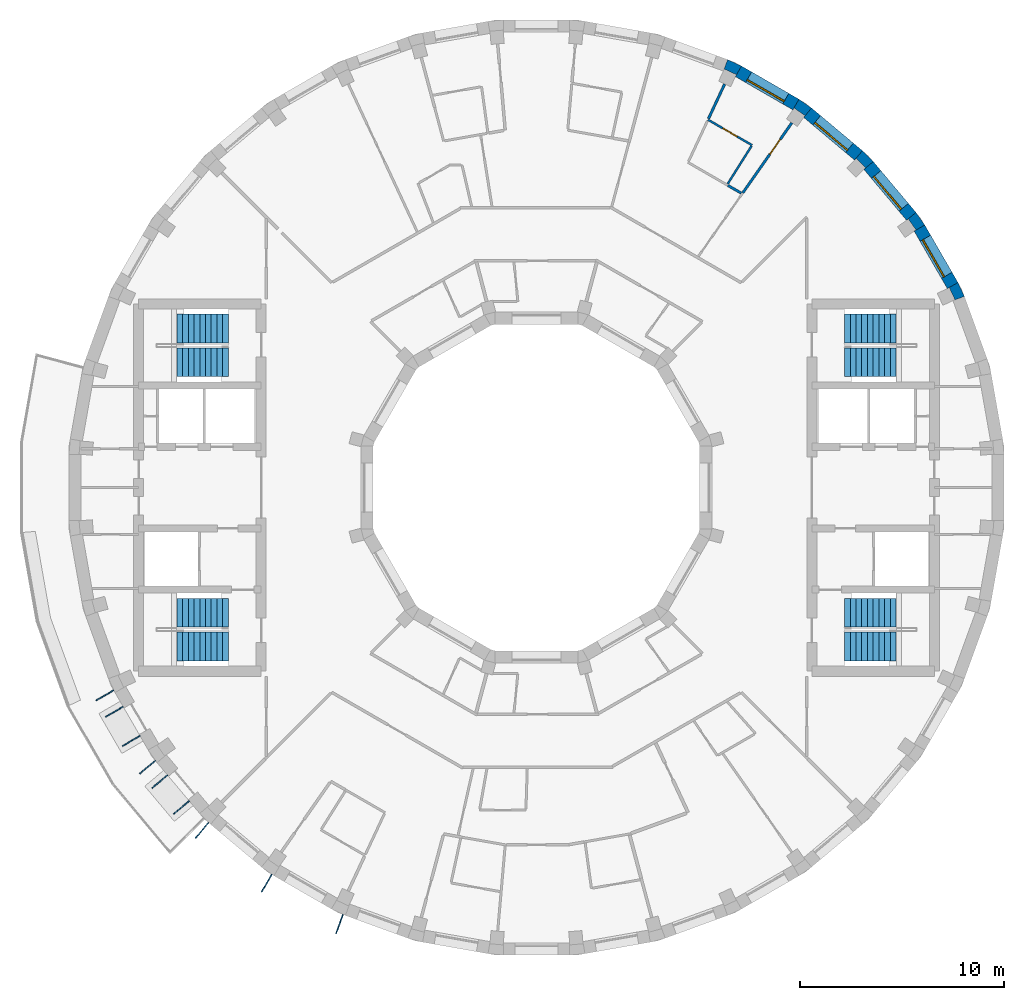
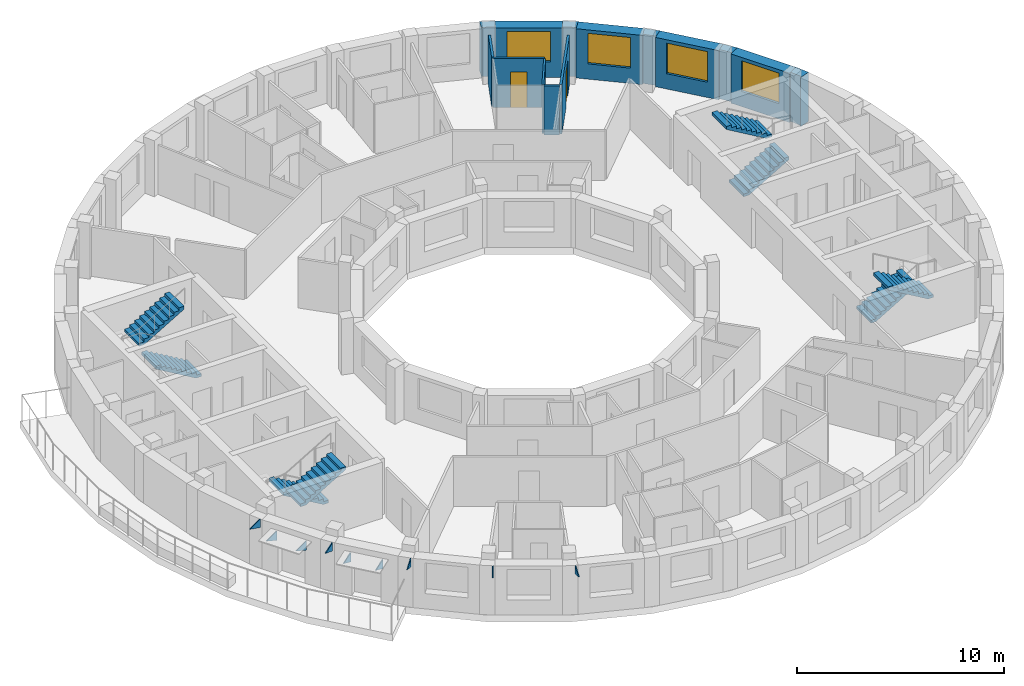
# One storey, part 9 of 10: 14 walls, 9 discrete accessories, 8 stair flights, 4 windows, 2 doors, 6 openings, 4 elements without a shape of their own.
"""IFC4 building model written with IfcOpenShell, lengths in metres."""

from ifc_helpers import new_model, si_unit, direction, frame, frame_2d, origin, place, context, subcontext, project, spatial, polyline, rectangle, outline, extrude, material, layer, layer_set, type_object, element, fill, aggregate, save


model = new_model("IFC4")

# Units and contexts
model_context = context("Model", 3, precision=1e-05, world=origin(), true_north=direction((0.0, 1.0)))
body_context = subcontext(model_context, "Body", "Model", "MODEL_VIEW")
ifc_project = project(units=[si_unit("LENGTHUNIT", "METRE"), si_unit("AREAUNIT", "SQUARE_METRE"), si_unit("VOLUMEUNIT", "CUBIC_METRE"), si_unit("PLANEANGLEUNIT", "RADIAN"), si_unit("MASSUNIT", "GRAM", prefix="KILO")], contexts=[model_context])

# Site, building, storey
site_placement = place(None, origin())
site = spatial("IfcSite", under=ifc_project, at=site_placement, CompositionType="ELEMENT")
building_placement = place(site_placement, origin())
building = spatial("IfcBuilding", under=site, at=building_placement, Name="Saqina Gate Tower", CompositionType="ELEMENT")
storey_placement = place(building_placement, frame((0.0, 0.0, 256.10009765625)))
storey = spatial("IfcBuildingStorey", under=building, at=storey_placement, Name="L73", CompositionType="ELEMENT", Elevation=256.10009765625)

# Walls
ifc_material_1 = material(Name="Brick masonry (buff)", Category="masonry")
wall_type_1 = type_object("IfcWallType", Name="BRICK PIER COPING BUFF", PredefinedType="SOLIDWALL", material=ifc_material_1)
wall_1_placement = place(storey_placement, origin())
element("IfcWall", 1, at=wall_1_placement, inside=storey, type_object=wall_type_1, Name="Pier cap L73 column 3", PredefinedType="SOLIDWALL", context=body_context, shape_type="SweptSolid", body=[
    extrude(outline(polyline([(20.974609375, 9.3642578125), (20.65576171875, 10.048095703125), (20.135986328125, 9.748291015625), (20.23193359375, 9.79296875), (20.506591796875, 9.203857421875), (20.410888671875, 9.1591796875), (20.974609375, 9.3642578125)])), origin(), (0.0, 0.0, 1.0), 2.89990234375),
])
wall_2_placement = place(storey_placement, origin())
element("IfcWall", 2, at=wall_2_placement, inside=storey, type_object=wall_type_1, Name="Pier cap L73 column 4", PredefinedType="SOLIDWALL", context=body_context, shape_type="SweptSolid", body=[
    extrude(outline(polyline([(19.02978515625, 12.8642578125), (18.59716796875, 13.482421875), (18.137451171875, 13.0966796875), (18.22412109375, 13.157470703125), (18.596923828125, 12.625), (18.51025390625, 12.564208984375), (19.02978515625, 12.8642578125)])), origin(), (0.0, 0.0, 1.0), 2.89990234375),
])
wall_3_placement = place(storey_placement, origin())
element("IfcWall", 3, at=wall_3_placement, inside=storey, type_object=wall_type_1, Name="Pier cap L73 column 5", PredefinedType="SOLIDWALL", context=body_context, shape_type="SweptSolid", body=[
    extrude(outline(polyline([(15.973388671875, 16.5068359375), (15.587646484375, 16.04736328125), (15.662353515625, 16.1220703125), (16.1220703125, 15.662353515625), (16.04736328125, 15.587646484375), (16.5068359375, 15.973388671875), (15.973388671875, 16.5068359375)])), origin(), (0.0, 0.0, 1.0), 2.89990234375),
])
wall_4_placement = place(storey_placement, origin())
element("IfcWall", 4, at=wall_4_placement, inside=storey, type_object=wall_type_1, Name="Pier cap L73 column 6", PredefinedType="SOLIDWALL", context=body_context, shape_type="SweptSolid", body=[
    extrude(outline(polyline([(12.8642578125, 19.02978515625), (12.564208984375, 18.51025390625), (12.625, 18.596923828125), (13.157470703125, 18.22412109375), (13.0966796875, 18.137451171875), (13.482421875, 18.59716796875), (12.8642578125, 19.02978515625)])), origin(), (0.0, 0.0, 1.0), 2.89990234375),
])
wall_5_placement = place(storey_placement, origin())
element("IfcWall", 5, at=wall_5_placement, inside=storey, type_object=wall_type_1, Name="Pier cap L73 column 7", PredefinedType="SOLIDWALL", context=body_context, shape_type="SweptSolid", body=[
    extrude(outline(polyline([(10.048095703125, 20.65576171875), (9.3642578125, 20.974609375), (9.1591796875, 20.410888671875), (9.203857421875, 20.506591796875), (9.79296875, 20.23193359375), (9.748291015625, 20.135986328125), (10.048095703125, 20.65576171875)])), origin(), (0.0, 0.0, 1.0), 2.89990234375),
])

# Wall, opening, window
ifc_material_2 = material(Name="Brick masonry (buff)", Category="masonry")
ifc_layer_1 = layer(ifc_material_2, 0.60009765625)
ifc_layer_set_1 = layer_set([ifc_layer_1], Name="FW-BRICK-BUFF")
wall_type_2 = type_object("IfcWallType", Name="FW-BRICK-BUFF", PredefinedType="SOLIDWALL", material=ifc_layer_set_1)
wall_6_placement = place(storey_placement, frame((20.39599609375, 9.898193359375, 0.0), z_axis=(0.0, 0.0, 1.0), x_axis=(-0.500014901547, 0.866016800201, 0.0)))
wall_6 = element("IfcWall", 6, at=wall_6_placement, inside=storey, type_object=wall_type_2, Name="Facade wall L73 facet 3", PredefinedType="SOLIDWALL", context=body_context, shape_type="SweptSolid", body=[
    extrude(rectangle(XDim=3.251953125, YDim=0.60009765625, at=frame_2d((1.6259765625, 0.0))), origin(), (0.0, 0.0, 1.0), 2.89990234375),
])
opening_1_placement = place(wall_6_placement, frame((0.57568359375, 0.0, 0.89990234375)))
opening_1 = element("IfcOpeningElement", 7, at=opening_1_placement, cuts=wall_6, Name="Opening G21-W01", PredefinedType="OPENING", context=body_context, shape_type="SweptSolid", body=[
    extrude(rectangle(XDim=2.10009765625, YDim=1.800048828125, at=frame_2d((1.050048828125, 0.89990234375))), frame((0.0, 0.31201171875, 0.0), z_axis=(0.0, -1.0, 0.0), x_axis=(1.0, 0.0, 0.0)), (0.0, 0.0, 1.0), 0.6240234375),
])
ifc_material_3 = material(Name="Aluminium glazing", Category="aluminium")
window_type = type_object("IfcWindowType", Name="WN-D", PartitioningType="SINGLE_PANEL", PredefinedType="WINDOW", material=ifc_material_3)
window_1_placement = place(opening_1_placement, origin())
window_1 = element("IfcWindow", 8, at=window_1_placement, inside=storey, type_object=window_type, Name="Window L73 facet 3", OverallHeight=1.800048828125, OverallWidth=2.10009765625, PartitioningType="SINGLE_PANEL", PredefinedType="WINDOW", context=body_context, shape_type="SweptSolid", body=[
    extrude(rectangle(XDim=2.10009765625, YDim=1.800048828125, at=frame_2d((1.050048828125, 0.89990234375))), frame((0.0, 0.179931640625, 0.0), z_axis=(0.0, -1.0, 0.0), x_axis=(1.0, 0.0, 0.0)), (0.0, 0.0, 1.0), 0.06005859375),
])
fill(opening_1, window_1)

wall_7_placement = place(storey_placement, frame((18.3671875, 13.28955078125, 0.0), z_axis=(0.0, 0.0, 1.0), x_axis=(-0.64277291405, 0.766056773982, 0.0)))
wall_7 = element("IfcWall", 9, at=wall_7_placement, inside=storey, type_object=wall_type_2, Name="Facade wall L73 facet 4", PredefinedType="SOLIDWALL", context=body_context, shape_type="SweptSolid", body=[
    extrude(rectangle(XDim=3.251708984375, YDim=0.60009765625, at=frame_2d((1.6259765625, 0.0))), origin(), (0.0, 0.0, 1.0), 2.89990234375),
])
opening_2_placement = place(wall_7_placement, frame((0.57568359375, 0.0, 0.89990234375)))
opening_2 = element("IfcOpeningElement", 10, at=opening_2_placement, cuts=wall_7, Name="Opening G21-W02", PredefinedType="OPENING", context=body_context, shape_type="SweptSolid", body=[
    extrude(rectangle(XDim=2.10009765625, YDim=1.800048828125, at=frame_2d((1.050048828125, 0.89990234375))), frame((0.0, 0.31201171875, 0.0), z_axis=(0.0, -1.0, 0.0), x_axis=(1.0, 0.0, 0.0)), (0.0, 0.0, 1.0), 0.6240234375),
])
window_2_placement = place(opening_2_placement, origin())
window_2 = element("IfcWindow", 11, at=window_2_placement, inside=storey, type_object=window_type, Name="Window L73 facet 4", OverallHeight=1.800048828125, OverallWidth=2.10009765625, PartitioningType="SINGLE_PANEL", PredefinedType="WINDOW", context=body_context, shape_type="SweptSolid", body=[
    extrude(rectangle(XDim=2.10009765625, YDim=1.800048828125, at=frame_2d((1.050048828125, 0.89990234375))), frame((0.0, 0.179931640625, 0.0), z_axis=(0.0, -1.0, 0.0), x_axis=(1.0, 0.0, 0.0)), (0.0, 0.0, 1.0), 0.06005859375),
])
fill(opening_2, window_2)

wall_8_placement = place(storey_placement, frame((15.780517578125, 16.277099609375, 0.0), z_axis=(0.0, 0.0, 1.0), x_axis=(-0.766056773982, 0.64277291405, 0.0)))
wall_8 = element("IfcWall", 12, at=wall_8_placement, inside=storey, type_object=wall_type_2, Name="Facade wall L73 facet 5", PredefinedType="SOLIDWALL", context=body_context, shape_type="SweptSolid", body=[
    extrude(rectangle(XDim=3.251708984375, YDim=0.60009765625, at=frame_2d((1.6259765625, 0.0))), origin(), (0.0, 0.0, 1.0), 2.89990234375),
])
opening_3_placement = place(wall_8_placement, frame((0.57568359375, 0.0, 0.89990234375)))
opening_3 = element("IfcOpeningElement", 13, at=opening_3_placement, cuts=wall_8, Name="Opening G21-W03", PredefinedType="OPENING", context=body_context, shape_type="SweptSolid", body=[
    extrude(rectangle(XDim=2.10009765625, YDim=1.800048828125, at=frame_2d((1.050048828125, 0.89990234375))), frame((0.0, 0.31201171875, 0.0), z_axis=(0.0, -1.0, 0.0), x_axis=(1.0, 0.0, 0.0)), (0.0, 0.0, 1.0), 0.6240234375),
])
window_3_placement = place(opening_3_placement, origin())
window_3 = element("IfcWindow", 14, at=window_3_placement, inside=storey, type_object=window_type, Name="Window L73 facet 5", OverallHeight=1.800048828125, OverallWidth=2.10009765625, PartitioningType="SINGLE_PANEL", PredefinedType="WINDOW", context=body_context, shape_type="SweptSolid", body=[
    extrude(rectangle(XDim=2.10009765625, YDim=1.800048828125, at=frame_2d((1.050048828125, 0.89990234375))), frame((0.0, 0.179931640625, 0.0), z_axis=(0.0, -1.0, 0.0), x_axis=(1.0, 0.0, 0.0)), (0.0, 0.0, 1.0), 0.06005859375),
])
fill(opening_3, window_3)

wall_9_placement = place(storey_placement, frame((12.71435546875, 18.77001953125, 0.0), z_axis=(0.0, 0.0, 1.0), x_axis=(-0.866016800201, 0.500014901547, 0.0)))
wall_9 = element("IfcWall", 15, at=wall_9_placement, inside=storey, type_object=wall_type_2, Name="Facade wall L73 facet 6", PredefinedType="SOLIDWALL", context=body_context, shape_type="SweptSolid", body=[
    extrude(rectangle(XDim=3.251953125, YDim=0.60009765625, at=frame_2d((1.6259765625, 0.0))), origin(), (0.0, 0.0, 1.0), 2.89990234375),
])
opening_4_placement = place(wall_9_placement, frame((0.57568359375, 0.0, 0.89990234375)))
opening_4 = element("IfcOpeningElement", 16, at=opening_4_placement, cuts=wall_9, Name="Opening G21-W04", PredefinedType="OPENING", context=body_context, shape_type="SweptSolid", body=[
    extrude(rectangle(XDim=2.10009765625, YDim=1.800048828125, at=frame_2d((1.050048828125, 0.89990234375))), frame((0.0, 0.31201171875, 0.0), z_axis=(0.0, -1.0, 0.0), x_axis=(1.0, 0.0, 0.0)), (0.0, 0.0, 1.0), 0.6240234375),
])
window_4_placement = place(opening_4_placement, origin())
window_4 = element("IfcWindow", 17, at=window_4_placement, inside=storey, type_object=window_type, Name="Window L73 facet 6", OverallHeight=1.800048828125, OverallWidth=2.10009765625, PartitioningType="SINGLE_PANEL", PredefinedType="WINDOW", context=body_context, shape_type="SweptSolid", body=[
    extrude(rectangle(XDim=2.10009765625, YDim=1.800048828125, at=frame_2d((1.050048828125, 0.89990234375))), frame((0.0, 0.179931640625, 0.0), z_axis=(0.0, -1.0, 0.0), x_axis=(1.0, 0.0, 0.0)), (0.0, 0.0, 1.0), 0.06005859375),
])
fill(opening_4, window_4)

# Wall, opening, door
ifc_material_4 = material(Name="Gypsum board on steel studs, 100 mm", Category="steel")
ifc_layer_2 = layer(ifc_material_4, 0.10009765625)
ifc_layer_set_2 = layer_set([ifc_layer_2], Name="PARTITION 100")
wall_type_3 = type_object("IfcWallType", Name="PARTITION 100", PredefinedType="PARTITIONING", material=ifc_layer_set_2)
wall_10_placement = place(storey_placement, frame((8.405029296875, 18.02490234375, 0.0), z_axis=(0.0, 0.0, 1.0), x_axis=(0.866060068719, -0.499939953764, 0.0)))
wall_10 = element("IfcWall", 18, at=wall_10_placement, inside=storey, type_object=wall_type_3, Name="PARTITION PW3-19", PredefinedType="PARTITIONING", context=body_context, shape_type="SweptSolid", body=[
    extrude(rectangle(XDim=2.493896484375, YDim=0.10009765625, at=frame_2d((1.2470703125, 0.0))), origin(), (0.0, 0.0, 1.0), 2.89990234375),
])
opening_5_placement = place(wall_10_placement, frame((0.84716796875, 0.0, 0.0)))
opening_5 = element("IfcOpeningElement", 19, at=opening_5_placement, cuts=wall_10, Name="Opening G21-D07", PredefinedType="OPENING", context=body_context, shape_type="SweptSolid", body=[
    extrude(rectangle(XDim=0.800048828125, YDim=2.10009765625, at=frame_2d((0.39990234375, 1.050048828125))), frame((0.0, 0.06201171875, 0.0), z_axis=(0.0, -1.0, 0.0), x_axis=(1.0, 0.0, 0.0)), (0.0, 0.0, 1.0), 0.1240234375),
])
ifc_material_5 = material(Name="Timber door leaf, 800 mm", Category="wood")
door_type_1 = type_object("IfcDoorType", Name="DOOR 800 TIMBER", OperationType="SINGLE_SWING_LEFT", PredefinedType="DOOR", material=ifc_material_5)
door_1_placement = place(opening_5_placement, origin())
door_1 = element("IfcDoor", 20, at=door_1_placement, inside=storey, type_object=door_type_1, Name="DOOR G21-D07", OperationType="SINGLE_SWING_RIGHT", OverallHeight=2.10009765625, OverallWidth=0.800048828125, PredefinedType="DOOR", context=body_context, shape_type="SweptSolid", body=[
    extrude(rectangle(XDim=0.800048828125, YDim=2.10009765625, at=frame_2d((0.39990234375, 1.050048828125))), frame((0.0, 0.02490234375, 0.0), z_axis=(0.0, -1.0, 0.0), x_axis=(1.0, 0.0, 0.0)), (0.0, 0.0, 1.0), 0.050048828125),
])
fill(opening_5, door_1)

# Walls
wall_11_placement = place(storey_placement, frame((9.371337890625, 14.8828125, 0.0), z_axis=(0.0, 0.0, 1.0), x_axis=(0.532952249521, 0.846145318329, 0.0)))
element("IfcWall", 21, at=wall_11_placement, inside=storey, type_object=wall_type_3, Name="PARTITION PW3-39", PredefinedType="PARTITIONING", context=body_context, shape_type="SweptSolid", body=[
    extrude(rectangle(XDim=2.189697265625, YDim=0.10009765625, at=frame_2d((1.0947265625, 0.0))), origin(), (0.0, 0.0, 1.0), 2.89990234375),
])
ifc_material_6 = material(Name="Gypsum board on steel studs, 125 mm, fire rated", Category="steel")
ifc_layer_3 = layer(ifc_material_6, 0.125)
ifc_layer_set_3 = layer_set([ifc_layer_3], Name="PARTITION EI 30 125")
wall_type_4 = type_object("IfcWallType", Name="PARTITION EI 30 125", PredefinedType="PARTITIONING", material=ifc_layer_set_3)
wall_12_placement = place(storey_placement, frame((9.38134765625, 14.804931640625, 0.0), z_axis=(0.0, 0.0, 1.0), x_axis=(0.866088799389, -0.499890179513, 0.0)))
element("IfcWall", 22, at=wall_12_placement, inside=storey, type_object=wall_type_4, Name="PARTITION PW1-13", PredefinedType="PARTITIONING", context=body_context, shape_type="SweptSolid", body=[
    extrude(rectangle(XDim=0.756103515625, YDim=0.125, at=frame_2d((0.3779296875, 0.0))), origin(), (0.0, 0.0, 1.0), 2.89990234375),
])

# Wall, opening, door
wall_13_placement = place(storey_placement, frame((10.111572265625, 14.44091796875, 0.0), z_axis=(0.0, 0.0, 1.0), x_axis=(0.57362673896, 0.819116819721, 0.0)))
wall_13 = element("IfcWall", 23, at=wall_13_placement, inside=storey, type_object=wall_type_4, Name="PARTITION PW1-32", PredefinedType="PARTITIONING", context=body_context, shape_type="SweptSolid", body=[
    extrude(rectangle(XDim=4.185791015625, YDim=0.125, at=frame_2d((2.0927734375, 0.0))), origin(), (0.0, 0.0, 1.0), 2.89990234375),
])
opening_6_placement = place(wall_13_placement, frame((2.309326171875, 0.0, 0.0)))
opening_6 = element("IfcOpeningElement", 24, at=opening_6_placement, cuts=wall_13, Name="Opening G21-D05", PredefinedType="OPENING", context=body_context, shape_type="SweptSolid", body=[
    extrude(rectangle(XDim=0.89990234375, YDim=2.10009765625, at=frame_2d((0.449951171875, 1.050048828125))), frame((0.0, 0.074462890625, 0.0), z_axis=(0.0, -1.0, 0.0), x_axis=(1.0, 0.0, 0.0)), (0.0, 0.0, 1.0), 0.14892578125),
])
ifc_material_7 = material(Name="Fire door leaf EI 30, 900 mm")
door_type_2 = type_object("IfcDoorType", Name="DOOR 900 EI 30", OperationType="SINGLE_SWING_LEFT", PredefinedType="DOOR", material=ifc_material_7)
door_2_placement = place(opening_6_placement, frame((0.89990234375, 0.0, 0.0), z_axis=(0.0, 0.0, 1.0), x_axis=(-1.0, 0.0, 0.0)))
door_2 = element("IfcDoor", 25, at=door_2_placement, inside=storey, type_object=door_type_2, Name="DOOR G21-D05", OperationType="SINGLE_SWING_LEFT", OverallHeight=2.10009765625, OverallWidth=0.89990234375, PredefinedType="DOOR", context=body_context, shape_type="SweptSolid", body=[
    extrude(rectangle(XDim=0.89990234375, YDim=2.10009765625, at=frame_2d((0.449951171875, 1.050048828125))), frame((0.0, 0.02490234375, 0.0), z_axis=(0.0, -1.0, 0.0), x_axis=(1.0, 0.0, 0.0)), (0.0, 0.0, 1.0), 0.050048828125),
])
fill(opening_6, door_2)

# Wall
wall_14_placement = place(storey_placement, frame((8.42626953125, 18.0703125, 0.0), z_axis=(0.0, 0.0, 1.0), x_axis=(0.423433748068, 0.905927072671, 0.0)))
element("IfcWall", 26, at=wall_14_placement, inside=storey, type_object=wall_type_4, Name="PARTITION PW1-34", PredefinedType="PARTITIONING", context=body_context, shape_type="SweptSolid", body=[
    extrude(rectangle(XDim=1.876708984375, YDim=0.125, at=frame_2d((0.9384765625, 0.0))), origin(), (0.0, 0.0, 1.0), 2.89990234375),
])

# Stair, stair flights
ifc_material_8 = material(Name="Concrete C40/50", Category="concrete")
stair_type = type_object("IfcStairType", Name="EXIT STAIR", PredefinedType="HALF_TURN_STAIR", material=ifc_material_8)
stair_1_placement = place(storey_placement, origin())
stair_1 = element("IfcStair", 27, at=stair_1_placement, inside=storey, type_object=stair_type, Name="EXIT STAIR 1", PredefinedType="HALF_TURN_STAIR")
ifc_material_9 = material(Name="Concrete C40/50", Category="concrete")
stair_flight_type = type_object("IfcStairFlightType", Name="EXIT STAIR FLIGHT", PredefinedType="STRAIGHT", material=ifc_material_9)
stair_flight_1_placement = place(storey_placement, frame((15.10009765625, 6.13330078125, 0.0), z_axis=(0.0, 0.0, 1.0), x_axis=(1.0, 0.0, 0.0)))
stair_flight_1 = element("IfcStairFlight", 28, at=stair_flight_1_placement, type_object=stair_flight_type, Name="EXIT STAIR 1 FLIGHT 1", NumberOfRisers=10, NumberOfTreads=9, PredefinedType="STRAIGHT", RiserHeight=0.165, TreadLength=0.28, context=body_context, shape_type="SweptSolid", body=[
    extrude(outline(polyline([(0.0, 0.0), (0.0, 0.1650390625), (0.280029296875, 0.1650390625), (0.280029296875, 0.330078125), (0.56005859375, 0.330078125), (0.56005859375, 0.4951171875), (0.840087890625, 0.4951171875), (0.840087890625, 0.659912109375), (1.1201171875, 0.659912109375), (1.1201171875, 0.824951171875), (1.39990234375, 0.824951171875), (1.39990234375, 0.989990234375), (1.679931640625, 0.989990234375), (1.679931640625, 1.155029296875), (1.9599609375, 1.155029296875), (1.9599609375, 1.320068359375), (2.239990234375, 1.320068359375), (2.239990234375, 1.485107421875), (2.52001953125, 1.485107421875), (2.52001953125, 1.64990234375), (2.52001953125, 1.31103515625), (0.295166015625, 0.0), (0.0, 0.0)])), frame((0.0, 0.699951171875, 0.0), z_axis=(0.0, -1.0, 0.0), x_axis=(1.0, 0.0, 0.0)), (0.0, 0.0, 1.0), 1.39990234375),
])
stair_flight_2_placement = place(storey_placement, frame((17.6201171875, 7.791748046875, 1.64990234375), z_axis=(0.0, 0.0, 1.0), x_axis=(-1.0, 0.0, 0.0)))
stair_flight_2 = element("IfcStairFlight", 29, at=stair_flight_2_placement, type_object=stair_flight_type, Name="EXIT STAIR 1 FLIGHT 2", NumberOfRisers=10, NumberOfTreads=9, PredefinedType="STRAIGHT", RiserHeight=0.165, TreadLength=0.28, context=body_context, shape_type="SweptSolid", body=[
    extrude(outline(polyline([(0.0, 0.0), (0.0, 0.1650390625), (0.280029296875, 0.1650390625), (0.280029296875, 0.330078125), (0.56005859375, 0.330078125), (0.56005859375, 0.4951171875), (0.840087890625, 0.4951171875), (0.840087890625, 0.659912109375), (1.1201171875, 0.659912109375), (1.1201171875, 0.824951171875), (1.39990234375, 0.824951171875), (1.39990234375, 0.989990234375), (1.679931640625, 0.989990234375), (1.679931640625, 1.155029296875), (1.9599609375, 1.155029296875), (1.9599609375, 1.320068359375), (2.239990234375, 1.320068359375), (2.239990234375, 1.485107421875), (2.52001953125, 1.485107421875), (2.52001953125, 1.64990234375), (2.52001953125, 1.31103515625), (0.295166015625, 0.0), (0.0, 0.0)])), frame((0.0, 0.699951171875, 0.0), z_axis=(0.0, -1.0, 0.0), x_axis=(1.0, 0.0, 0.0)), (0.0, 0.0, 1.0), 1.39990234375),
])
aggregate(stair_1, [stair_flight_1, stair_flight_2])

stair_2_placement = place(storey_placement, origin())
stair_2 = element("IfcStair", 30, at=stair_2_placement, inside=storey, type_object=stair_type, Name="EXIT STAIR 2", PredefinedType="HALF_TURN_STAIR")
stair_flight_3_placement = place(storey_placement, frame((15.10009765625, -6.13330078125, 0.0), z_axis=(0.0, 0.0, 1.0), x_axis=(1.0, 0.0, 0.0)))
stair_flight_3 = element("IfcStairFlight", 31, at=stair_flight_3_placement, type_object=stair_flight_type, Name="EXIT STAIR 2 FLIGHT 1", NumberOfRisers=10, NumberOfTreads=9, PredefinedType="STRAIGHT", RiserHeight=0.165, TreadLength=0.28, context=body_context, shape_type="SweptSolid", body=[
    extrude(outline(polyline([(0.0, 0.0), (0.0, 0.1650390625), (0.280029296875, 0.1650390625), (0.280029296875, 0.330078125), (0.56005859375, 0.330078125), (0.56005859375, 0.4951171875), (0.840087890625, 0.4951171875), (0.840087890625, 0.659912109375), (1.1201171875, 0.659912109375), (1.1201171875, 0.824951171875), (1.39990234375, 0.824951171875), (1.39990234375, 0.989990234375), (1.679931640625, 0.989990234375), (1.679931640625, 1.155029296875), (1.9599609375, 1.155029296875), (1.9599609375, 1.320068359375), (2.239990234375, 1.320068359375), (2.239990234375, 1.485107421875), (2.52001953125, 1.485107421875), (2.52001953125, 1.64990234375), (2.52001953125, 1.31103515625), (0.295166015625, 0.0), (0.0, 0.0)])), frame((0.0, 0.699951171875, 0.0), z_axis=(0.0, -1.0, 0.0), x_axis=(1.0, 0.0, 0.0)), (0.0, 0.0, 1.0), 1.39990234375),
])
stair_flight_4_placement = place(storey_placement, frame((17.6201171875, -7.791748046875, 1.64990234375), z_axis=(0.0, 0.0, 1.0), x_axis=(-1.0, 0.0, 0.0)))
stair_flight_4 = element("IfcStairFlight", 32, at=stair_flight_4_placement, type_object=stair_flight_type, Name="EXIT STAIR 2 FLIGHT 2", NumberOfRisers=10, NumberOfTreads=9, PredefinedType="STRAIGHT", RiserHeight=0.165, TreadLength=0.28, context=body_context, shape_type="SweptSolid", body=[
    extrude(outline(polyline([(0.0, 0.0), (0.0, 0.1650390625), (0.280029296875, 0.1650390625), (0.280029296875, 0.330078125), (0.56005859375, 0.330078125), (0.56005859375, 0.4951171875), (0.840087890625, 0.4951171875), (0.840087890625, 0.659912109375), (1.1201171875, 0.659912109375), (1.1201171875, 0.824951171875), (1.39990234375, 0.824951171875), (1.39990234375, 0.989990234375), (1.679931640625, 0.989990234375), (1.679931640625, 1.155029296875), (1.9599609375, 1.155029296875), (1.9599609375, 1.320068359375), (2.239990234375, 1.320068359375), (2.239990234375, 1.485107421875), (2.52001953125, 1.485107421875), (2.52001953125, 1.64990234375), (2.52001953125, 1.31103515625), (0.295166015625, 0.0), (0.0, 0.0)])), frame((0.0, 0.699951171875, 0.0), z_axis=(0.0, -1.0, 0.0), x_axis=(1.0, 0.0, 0.0)), (0.0, 0.0, 1.0), 1.39990234375),
])
aggregate(stair_2, [stair_flight_3, stair_flight_4])

stair_3_placement = place(storey_placement, origin())
stair_3 = element("IfcStair", 33, at=stair_3_placement, inside=storey, type_object=stair_type, Name="EXIT STAIR 3", PredefinedType="HALF_TURN_STAIR")
stair_flight_5_placement = place(storey_placement, frame((-15.10009765625, 6.13330078125, 0.0), z_axis=(0.0, 0.0, 1.0), x_axis=(-1.0, 0.0, 0.0)))
stair_flight_5 = element("IfcStairFlight", 34, at=stair_flight_5_placement, type_object=stair_flight_type, Name="EXIT STAIR 3 FLIGHT 1", NumberOfRisers=10, NumberOfTreads=9, PredefinedType="STRAIGHT", RiserHeight=0.165, TreadLength=0.28, context=body_context, shape_type="SweptSolid", body=[
    extrude(outline(polyline([(0.0, 0.0), (0.0, 0.1650390625), (0.280029296875, 0.1650390625), (0.280029296875, 0.330078125), (0.56005859375, 0.330078125), (0.56005859375, 0.4951171875), (0.840087890625, 0.4951171875), (0.840087890625, 0.659912109375), (1.1201171875, 0.659912109375), (1.1201171875, 0.824951171875), (1.39990234375, 0.824951171875), (1.39990234375, 0.989990234375), (1.679931640625, 0.989990234375), (1.679931640625, 1.155029296875), (1.9599609375, 1.155029296875), (1.9599609375, 1.320068359375), (2.239990234375, 1.320068359375), (2.239990234375, 1.485107421875), (2.52001953125, 1.485107421875), (2.52001953125, 1.64990234375), (2.52001953125, 1.31103515625), (0.295166015625, 0.0), (0.0, 0.0)])), frame((0.0, 0.699951171875, 0.0), z_axis=(0.0, -1.0, 0.0), x_axis=(1.0, 0.0, 0.0)), (0.0, 0.0, 1.0), 1.39990234375),
])
stair_flight_6_placement = place(storey_placement, frame((-17.6201171875, 7.791748046875, 1.64990234375), z_axis=(0.0, 0.0, 1.0), x_axis=(1.0, 0.0, 0.0)))
stair_flight_6 = element("IfcStairFlight", 35, at=stair_flight_6_placement, type_object=stair_flight_type, Name="EXIT STAIR 3 FLIGHT 2", NumberOfRisers=10, NumberOfTreads=9, PredefinedType="STRAIGHT", RiserHeight=0.165, TreadLength=0.28, context=body_context, shape_type="SweptSolid", body=[
    extrude(outline(polyline([(0.0, 0.0), (0.0, 0.1650390625), (0.280029296875, 0.1650390625), (0.280029296875, 0.330078125), (0.56005859375, 0.330078125), (0.56005859375, 0.4951171875), (0.840087890625, 0.4951171875), (0.840087890625, 0.659912109375), (1.1201171875, 0.659912109375), (1.1201171875, 0.824951171875), (1.39990234375, 0.824951171875), (1.39990234375, 0.989990234375), (1.679931640625, 0.989990234375), (1.679931640625, 1.155029296875), (1.9599609375, 1.155029296875), (1.9599609375, 1.320068359375), (2.239990234375, 1.320068359375), (2.239990234375, 1.485107421875), (2.52001953125, 1.485107421875), (2.52001953125, 1.64990234375), (2.52001953125, 1.31103515625), (0.295166015625, 0.0), (0.0, 0.0)])), frame((0.0, 0.699951171875, 0.0), z_axis=(0.0, -1.0, 0.0), x_axis=(1.0, 0.0, 0.0)), (0.0, 0.0, 1.0), 1.39990234375),
])
aggregate(stair_3, [stair_flight_5, stair_flight_6])

stair_4_placement = place(storey_placement, origin())
stair_4 = element("IfcStair", 36, at=stair_4_placement, inside=storey, type_object=stair_type, Name="EXIT STAIR 4", PredefinedType="HALF_TURN_STAIR")
stair_flight_7_placement = place(storey_placement, frame((-15.10009765625, -6.13330078125, 0.0), z_axis=(0.0, 0.0, 1.0), x_axis=(-1.0, 0.0, 0.0)))
stair_flight_7 = element("IfcStairFlight", 37, at=stair_flight_7_placement, type_object=stair_flight_type, Name="EXIT STAIR 4 FLIGHT 1", NumberOfRisers=10, NumberOfTreads=9, PredefinedType="STRAIGHT", RiserHeight=0.165, TreadLength=0.28, context=body_context, shape_type="SweptSolid", body=[
    extrude(outline(polyline([(0.0, 0.0), (0.0, 0.1650390625), (0.280029296875, 0.1650390625), (0.280029296875, 0.330078125), (0.56005859375, 0.330078125), (0.56005859375, 0.4951171875), (0.840087890625, 0.4951171875), (0.840087890625, 0.659912109375), (1.1201171875, 0.659912109375), (1.1201171875, 0.824951171875), (1.39990234375, 0.824951171875), (1.39990234375, 0.989990234375), (1.679931640625, 0.989990234375), (1.679931640625, 1.155029296875), (1.9599609375, 1.155029296875), (1.9599609375, 1.320068359375), (2.239990234375, 1.320068359375), (2.239990234375, 1.485107421875), (2.52001953125, 1.485107421875), (2.52001953125, 1.64990234375), (2.52001953125, 1.31103515625), (0.295166015625, 0.0), (0.0, 0.0)])), frame((0.0, 0.699951171875, 0.0), z_axis=(0.0, -1.0, 0.0), x_axis=(1.0, 0.0, 0.0)), (0.0, 0.0, 1.0), 1.39990234375),
])
stair_flight_8_placement = place(storey_placement, frame((-17.6201171875, -7.791748046875, 1.64990234375), z_axis=(0.0, 0.0, 1.0), x_axis=(1.0, 0.0, 0.0)))
stair_flight_8 = element("IfcStairFlight", 38, at=stair_flight_8_placement, type_object=stair_flight_type, Name="EXIT STAIR 4 FLIGHT 2", NumberOfRisers=10, NumberOfTreads=9, PredefinedType="STRAIGHT", RiserHeight=0.165, TreadLength=0.28, context=body_context, shape_type="SweptSolid", body=[
    extrude(outline(polyline([(0.0, 0.0), (0.0, 0.1650390625), (0.280029296875, 0.1650390625), (0.280029296875, 0.330078125), (0.56005859375, 0.330078125), (0.56005859375, 0.4951171875), (0.840087890625, 0.4951171875), (0.840087890625, 0.659912109375), (1.1201171875, 0.659912109375), (1.1201171875, 0.824951171875), (1.39990234375, 0.824951171875), (1.39990234375, 0.989990234375), (1.679931640625, 0.989990234375), (1.679931640625, 1.155029296875), (1.9599609375, 1.155029296875), (1.9599609375, 1.320068359375), (2.239990234375, 1.320068359375), (2.239990234375, 1.485107421875), (2.52001953125, 1.485107421875), (2.52001953125, 1.64990234375), (2.52001953125, 1.31103515625), (0.295166015625, 0.0), (0.0, 0.0)])), frame((0.0, 0.699951171875, 0.0), z_axis=(0.0, -1.0, 0.0), x_axis=(1.0, 0.0, 0.0)), (0.0, 0.0, 1.0), 1.39990234375),
])
aggregate(stair_4, [stair_flight_7, stair_flight_8])

# Discrete accessories
ifc_material_10 = material(Name="Galvanised steel", Category="steel")
ifc_layer_4 = layer(ifc_material_10, 0.050048828125)
ifc_layer_set_4 = layer_set([ifc_layer_4], Name="BR-AWNING")
discrete_accessory_type_1 = type_object("IfcDiscreteAccessoryType", Name="BR-AWNING", PredefinedType="BRACKET", material=ifc_layer_set_4)
for number, where, z_axis, x_axis, name in (
    (39, (-20.2431640625, -10.7626953125, 1.974853515625), (0.50002537861, -0.866010750942, 0.0), (0.0, 0.0, 1.0), "Awning bracket L73 facet 21"),
    (40, (-19.41748046875, -12.193115234375, 1.974853515625), (0.50002537861, -0.866010750942, 0.0), (0.0, 0.0, 1.0), "Awning bracket L73 facet 21"),
):
    element("IfcDiscreteAccessory", number, at=place(storey_placement, frame(where, z_axis=z_axis, x_axis=x_axis)), inside=storey, type_object=discrete_accessory_type_1, Name=name, PredefinedType="BRACKET", context=body_context, shape_type="SweptSolid", body=[
        extrude(outline(polyline([(0.0, 0.0), (0.550048828125, 0.0), (0.550048828125, 0.9999492453569568), (0.0, 0.0)])), origin(), (0.0, 0.0, -1.0), 0.050048828125),
    ])
discrete_accessory_1_placement = place(storey_placement, frame((-18.06689453125, -14.114501953125, 1.974853515625), z_axis=(0.64275098807, -0.766075170812, 0.0), x_axis=(0.0, 0.0, 1.0)))
element("IfcDiscreteAccessory", 41, at=discrete_accessory_1_placement, inside=storey, type_object=discrete_accessory_type_1, Name="Awning bracket L73 facet 22", PredefinedType="BRACKET", context=body_context, shape_type="SweptSolid", body=[
    extrude(outline(polyline([(0.0, 0.0), (0.550048828125, 0.0), (0.550048828125, 0.9997310574800564), (0.0, 0.0)])), origin(), (0.0, 0.0, -1.0), 0.050048828125),
])
discrete_accessory_2_placement = place(storey_placement, frame((-17.005126953125, -15.379638671875, 1.974853515625), z_axis=(0.642894271969, -0.765954930181, 0.0), x_axis=(0.0, 0.0, 1.0)))
element("IfcDiscreteAccessory", 42, at=discrete_accessory_2_placement, inside=storey, type_object=discrete_accessory_type_1, Name="Awning bracket L73 facet 22", PredefinedType="BRACKET", context=body_context, shape_type="SweptSolid", body=[
    extrude(outline(polyline([(0.0, 0.0), (0.550048828125, 0.0), (0.550048828125, 0.9998879966000863), (0.0, 0.0)])), origin(), (0.0, 0.0, -1.0), 0.050048828125),
])
ifc_material_11 = material(Name="Galvanised steel", Category="steel")
ifc_layer_5 = layer(ifc_material_11, 0.050048828125)
ifc_layer_set_5 = layer_set([ifc_layer_5], Name="BR-GUSSET")
discrete_accessory_type_2 = type_object("IfcDiscreteAccessoryType", Name="BR-GUSSET", PredefinedType="BRACKET", material=ifc_layer_set_5)
discrete_accessory_3_placement = place(storey_placement, frame((-20.70751953125, -9.95849609375, 2.39990234375), z_axis=(0.50002537861, -0.866010750942, 0.0), x_axis=(0.0, 0.0, 1.0)))
element("IfcDiscreteAccessory", 43, at=discrete_accessory_3_placement, inside=storey, type_object=discrete_accessory_type_2, Name="Terrace slab bracket L74 1", PredefinedType="BRACKET", context=body_context, shape_type="SweptSolid", body=[
    extrude(outline(polyline([(0.0, 0.0), (0.5, 0.0), (0.5, 0.9999492453569568), (0.0, 0.0)])), origin(), (0.0, 0.0, -1.0), 0.050048828125),
])
discrete_accessory_4_placement = place(storey_placement, frame((-18.663818359375, -13.40283203125, 2.39990234375), z_axis=(0.642894271969, -0.765954930181, 0.0), x_axis=(0.0, 0.0, 1.0)))
element("IfcDiscreteAccessory", 44, at=discrete_accessory_4_placement, inside=storey, type_object=discrete_accessory_type_2, Name="Terrace slab bracket L74 2", PredefinedType="BRACKET", context=body_context, shape_type="SweptSolid", body=[
    extrude(outline(polyline([(0.0, 0.0), (0.5, 0.0), (0.5, 0.9998879966000863), (0.0, 0.0)])), origin(), (0.0, 0.0, -1.0), 0.050048828125),
])
discrete_accessory_5_placement = place(storey_placement, frame((-16.052734375, -16.440185546875, 2.39990234375), z_axis=(0.766055819685, -0.64277405138, 0.0), x_axis=(0.0, 0.0, 1.0)))
element("IfcDiscreteAccessory", 45, at=discrete_accessory_5_placement, inside=storey, type_object=discrete_accessory_type_2, Name="Terrace slab bracket L74 3", PredefinedType="BRACKET", context=body_context, shape_type="SweptSolid", body=[
    extrude(outline(polyline([(0.0, 0.0), (0.5, 0.0), (0.5, 1.0000750096322275), (0.0, 0.0)])), origin(), (0.0, 0.0, -1.0), 0.050048828125),
])
discrete_accessory_6_placement = place(storey_placement, frame((-12.9541015625, -18.97802734375, 2.39990234375), z_axis=(0.866010750942, -0.50002537861, 0.0), x_axis=(0.0, 0.0, 1.0)))
element("IfcDiscreteAccessory", 46, at=discrete_accessory_6_placement, inside=storey, type_object=discrete_accessory_type_2, Name="Terrace slab bracket L74 4", PredefinedType="BRACKET", context=body_context, shape_type="SweptSolid", body=[
    extrude(outline(polyline([(0.0, 0.0), (0.5, 0.0), (0.5, 0.9999492453569568), (0.0, 0.0)])), origin(), (0.0, 0.0, -1.0), 0.050048828125),
])
discrete_accessory_7_placement = place(storey_placement, frame((-9.4619140625, -20.939208984375, 2.39990234375), z_axis=(0.939764905391, -0.341821477669, 0.0), x_axis=(0.0, 0.0, 1.0)))
element("IfcDiscreteAccessory", 47, at=discrete_accessory_7_placement, inside=storey, type_object=discrete_accessory_type_2, Name="Terrace slab bracket L74 5", PredefinedType="BRACKET", context=body_context, shape_type="SweptSolid", body=[
    extrude(outline(polyline([(0.0, 0.0), (0.5, 0.0), (0.5, 0.999928024801219), (0.0, 0.0)])), origin(), (0.0, 0.0, -1.0), 0.050048828125),
])

save(model, "model.ifc")
